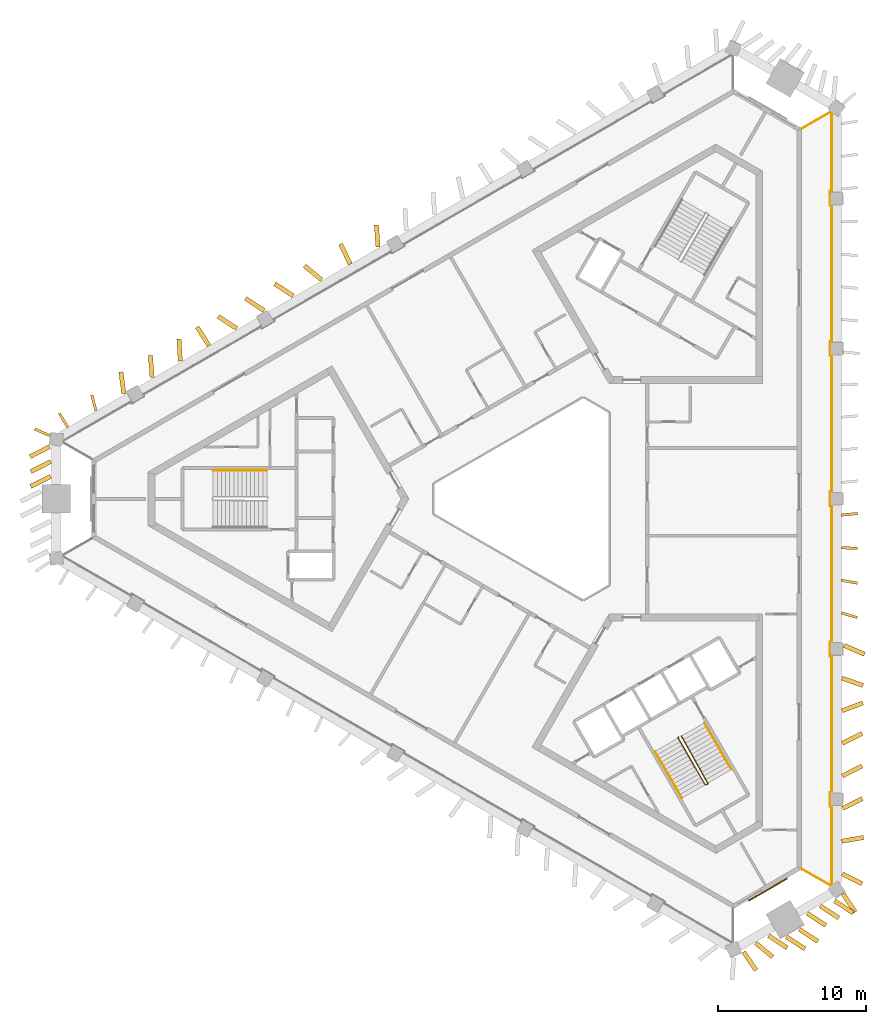
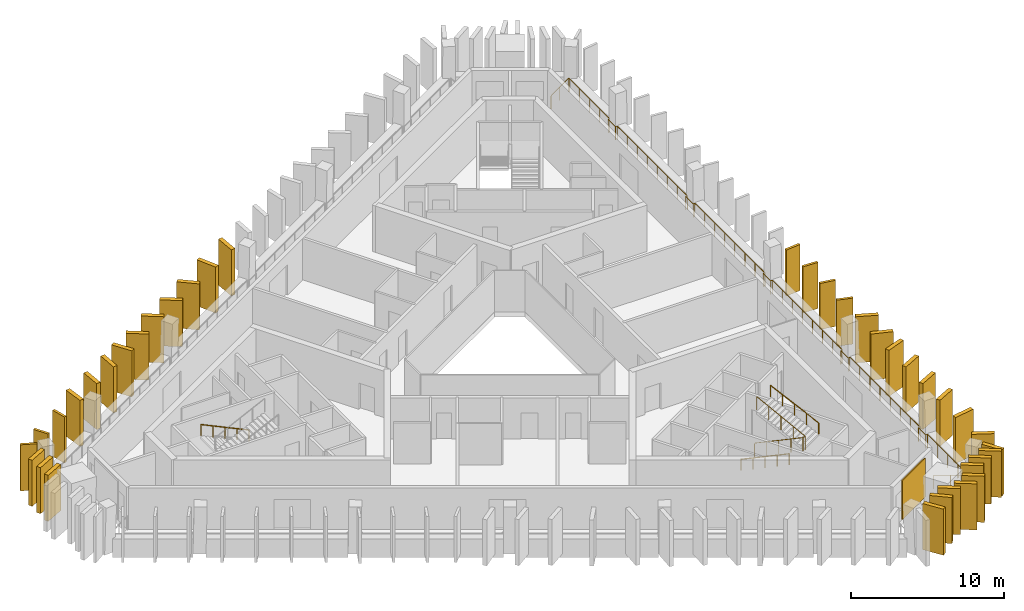
# One storey, part 8 of 9: 37 shading devices, 5 railings, 1 covering.
"""IFC4 building model written with IfcOpenShell, lengths in metres."""

from ifc_helpers import new_model, si_unit, direction, frame, frame_2d, origin, origin_2d, place, context, subcontext, project, spatial, rectangle, circle, extrude, material, layer, layer_set, type_object, element, save


model = new_model("IFC4")

# Units and contexts
model_context = context("Model", 3, precision=1e-05, world=origin(), true_north=direction((0.0, 1.0)))
body_context = subcontext(model_context, "Body", "Model", "MODEL_VIEW")
ifc_project = project(units=[si_unit("LENGTHUNIT", "METRE"), si_unit("AREAUNIT", "SQUARE_METRE"), si_unit("VOLUMEUNIT", "CUBIC_METRE"), si_unit("PLANEANGLEUNIT", "RADIAN"), si_unit("MASSUNIT", "GRAM", prefix="KILO")], contexts=[model_context])

# Site, building, storey
site_placement = place(None, origin())
site = spatial("IfcSite", under=ifc_project, at=site_placement, CompositionType="ELEMENT")
building_placement = place(site_placement, origin())
building = spatial("IfcBuilding", under=site, at=building_placement, Name="Jabali Bay Hotel Tower and Convention Centre", CompositionType="ELEMENT")
storey_placement = place(building_placement, frame((0.0, 0.0, 235.39990234375)))
storey = spatial("IfcBuildingStorey", under=building, at=storey_placement, Name="L58", CompositionType="ELEMENT", Elevation=235.39990234375)

# Railing
ifc_material_1 = material(Name="Glass", Category="glass")
railing_type_1 = type_object("IfcRailingType", Name="Loggia glass guard 1100", PredefinedType="BALUSTRADE", material=ifc_material_1)
railing_1_placement = place(storey_placement, frame((92.55322265625, 105.00927734375, 0.0)))
element("IfcRailing", 1, at=railing_1_placement, inside=storey, type_object=railing_type_1, Name="Loggia glass guard L58", PredefinedType="BALUSTRADE", context=body_context, shape_type="SweptSolid", body=[
    extrude(circle(Radius=0.02490234375, at=origin_2d()), frame((0.0, 0.0, 1.0751953125), z_axis=(0.86603545466, 0.499982590969, 0.0), x_axis=(-0.495705170593, 0.85862640129, 0.13052619222)), (0.0, 0.0, 1.0), 2.24755859375),
    extrude(circle(Radius=0.02490234375, at=origin_2d()), frame((1.946533203125, 1.123779296875, 1.0751953125), z_axis=(0.798685177606, -0.601749106416, 0.0), x_axis=(0.596601059392, 0.791852315193, 0.13052619222)), (0.0, 0.0, 1.0), 0.06689453125),
    extrude(circle(Radius=0.02490234375, at=origin_2d()), frame((2.0, 1.08349609375, 1.0751953125), z_axis=(0.0, -1.0, 0.0), x_axis=(0.991444861374, 0.0, 0.13052619222)), (0.0, 0.0, 1.0), 5.318603515625),
    extrude(circle(Radius=0.02490234375, at=origin_2d()), frame((2.0, -4.235107421875, 1.0751953125), z_axis=(-1.0, 0.0, 0.0), x_axis=(0.0, -0.991444861374, 0.13052619222)), (0.0, 0.0, 1.0), 0.125),
    extrude(circle(Radius=0.02490234375, at=origin_2d()), frame((1.875, -4.235107421875, 1.0751953125), z_axis=(0.0, -1.0, 0.0), x_axis=(0.991444861374, 0.0, 0.13052619222)), (0.0, 0.0, 1.0), 0.9501953125),
    extrude(circle(Radius=0.02490234375, at=origin_2d()), frame((1.875, -5.185302734375, 1.0751953125), z_axis=(1.0, 0.0, 0.0), x_axis=(0.0, 0.991444861374, 0.13052619222)), (0.0, 0.0, 1.0), 0.125),
    extrude(circle(Radius=0.02490234375, at=origin_2d()), frame((2.0, -5.185302734375, 1.0751953125), z_axis=(0.0, -1.0, 0.0), x_axis=(0.991444861374, 0.0, 0.13052619222)), (0.0, 0.0, 1.0), 9.199462890625),
    extrude(circle(Radius=0.02490234375, at=origin_2d()), frame((2.0, -14.384765625, 1.0751953125), z_axis=(-1.0, 0.0, 0.0), x_axis=(0.0, -0.991444861374, 0.13052619222)), (0.0, 0.0, 1.0), 0.125),
    extrude(circle(Radius=0.02490234375, at=origin_2d()), frame((1.875, -14.384765625, 1.0751953125), z_axis=(0.0, -1.0, 0.0), x_axis=(0.991444861374, 0.0, 0.13052619222)), (0.0, 0.0, 1.0), 0.949951171875),
    extrude(circle(Radius=0.02490234375, at=origin_2d()), frame((1.875, -15.334716796875, 1.0751953125), z_axis=(1.0, 0.0, 0.0), x_axis=(0.0, 0.991444861374, 0.13052619222)), (0.0, 0.0, 1.0), 0.125),
    extrude(circle(Radius=0.02490234375, at=origin_2d()), frame((2.0, -15.334716796875, 1.0751953125), z_axis=(0.0, -1.0, 0.0), x_axis=(0.991444861374, 0.0, 0.13052619222)), (0.0, 0.0, 1.0), 9.199462890625),
    extrude(circle(Radius=0.02490234375, at=origin_2d()), frame((2.0, -24.5341796875, 1.0751953125), z_axis=(-1.0, 0.0, 0.0), x_axis=(0.0, -0.991444861374, 0.13052619222)), (0.0, 0.0, 1.0), 0.125),
    extrude(circle(Radius=0.02490234375, at=origin_2d()), frame((1.875, -24.5341796875, 1.0751953125), z_axis=(0.0, -1.0, 0.0), x_axis=(0.991444861374, 0.0, 0.13052619222)), (0.0, 0.0, 1.0), 0.9501953125),
    extrude(circle(Radius=0.02490234375, at=origin_2d()), frame((1.875, -25.484375, 1.0751953125), z_axis=(1.0, 0.0, 0.0), x_axis=(0.0, 0.991444861374, 0.13052619222)), (0.0, 0.0, 1.0), 0.125),
    extrude(circle(Radius=0.02490234375, at=origin_2d()), frame((2.0, -25.484375, 1.0751953125), z_axis=(0.0, -1.0, 0.0), x_axis=(0.991444861374, 0.0, 0.13052619222)), (0.0, 0.0, 1.0), 9.199462890625),
    extrude(circle(Radius=0.02490234375, at=origin_2d()), frame((2.0, -34.683837890625, 1.0751953125), z_axis=(-1.0, 0.0, 0.0), x_axis=(0.0, -0.991444861374, 0.13052619222)), (0.0, 0.0, 1.0), 0.125),
    extrude(circle(Radius=0.02490234375, at=origin_2d()), frame((1.875, -34.683837890625, 1.0751953125), z_axis=(0.0, -1.0, 0.0), x_axis=(0.991444861374, 0.0, 0.13052619222)), (0.0, 0.0, 1.0), 0.949951171875),
    extrude(circle(Radius=0.02490234375, at=origin_2d()), frame((1.875, -35.6337890625, 1.0751953125), z_axis=(1.0, 0.0, 0.0), x_axis=(0.0, 0.991444861374, 0.13052619222)), (0.0, 0.0, 1.0), 0.125),
    extrude(circle(Radius=0.02490234375, at=origin_2d()), frame((2.0, -35.6337890625, 1.0751953125), z_axis=(0.0, -1.0, 0.0), x_axis=(0.991444861374, 0.0, 0.13052619222)), (0.0, 0.0, 1.0), 9.199462890625),
    extrude(circle(Radius=0.02490234375, at=origin_2d()), frame((2.0, -44.833251953125, 1.0751953125), z_axis=(-1.0, 0.0, 0.0), x_axis=(0.0, -0.991444861374, 0.13052619222)), (0.0, 0.0, 1.0), 0.125),
    extrude(circle(Radius=0.02490234375, at=origin_2d()), frame((1.875, -44.833251953125, 1.0751953125), z_axis=(0.0, -1.0, 0.0), x_axis=(0.991444861374, 0.0, 0.13052619222)), (0.0, 0.0, 1.0), 0.9501953125),
    extrude(circle(Radius=0.02490234375, at=origin_2d()), frame((1.875, -45.783447265625, 1.0751953125), z_axis=(1.0, 0.0, 0.0), x_axis=(0.0, 0.991444861374, 0.13052619222)), (0.0, 0.0, 1.0), 0.125),
    extrude(circle(Radius=0.02490234375, at=origin_2d()), frame((2.0, -45.783447265625, 1.0751953125), z_axis=(0.0, -1.0, 0.0), x_axis=(0.991444861374, 0.0, 0.13052619222)), (0.0, 0.0, 1.0), 5.318603515625),
    extrude(circle(Radius=0.02490234375, at=origin_2d()), frame((2.0, -51.10205078125, 1.0751953125), z_axis=(-0.798685177606, -0.601749106416, 0.0), x_axis=(0.596601059392, -0.791852315193, 0.13052619222)), (0.0, 0.0, 1.0), 0.06689453125),
    extrude(circle(Radius=0.02490234375, at=origin_2d()), frame((1.946533203125, -51.142333984375, 1.0751953125), z_axis=(-0.86603545466, 0.499982590969, 0.0), x_axis=(-0.495705170593, -0.85862640129, 0.13052619222)), (0.0, 0.0, 1.0), 2.24755859375),
    extrude(circle(Radius=0.02001953125, at=origin_2d()), origin(), (0.0, 0.0, 1.0), 1.050048828125),
    extrude(circle(Radius=0.02001953125, at=origin_2d()), frame((0.97314453125, 0.56201171875, 0.0)), (0.0, 0.0, 1.0), 1.050048828125),
    extrude(circle(Radius=0.02001953125, at=origin_2d()), frame((1.946533203125, 1.123779296875, 0.0)), (0.0, 0.0, 1.0), 1.050048828125),
    extrude(circle(Radius=0.02001953125, at=origin_2d()), frame((2.0, 1.08349609375, 0.0)), (0.0, 0.0, 1.0), 1.050048828125),
    extrude(circle(Radius=0.02001953125, at=origin_2d()), frame((2.0, -0.24609375, 0.0)), (0.0, 0.0, 1.0), 1.050048828125),
    extrude(circle(Radius=0.02001953125, at=origin_2d()), frame((2.0, -1.57568359375, 0.0)), (0.0, 0.0, 1.0), 1.050048828125),
    extrude(circle(Radius=0.02001953125, at=origin_2d()), frame((2.0, -2.905517578125, 0.0)), (0.0, 0.0, 1.0), 1.050048828125),
    extrude(circle(Radius=0.02001953125, at=origin_2d()), frame((2.0, -4.235107421875, 0.0)), (0.0, 0.0, 1.0), 1.050048828125),
    extrude(circle(Radius=0.02001953125, at=origin_2d()), frame((1.875, -4.235107421875, 0.0)), (0.0, 0.0, 1.0), 1.050048828125),
    extrude(circle(Radius=0.02001953125, at=origin_2d()), frame((1.875, -5.185302734375, 0.0)), (0.0, 0.0, 1.0), 1.050048828125),
    extrude(circle(Radius=0.02001953125, at=origin_2d()), frame((2.0, -5.185302734375, 0.0)), (0.0, 0.0, 1.0), 1.050048828125),
    extrude(circle(Radius=0.02001953125, at=origin_2d()), frame((2.0, -6.49951171875, 0.0)), (0.0, 0.0, 1.0), 1.050048828125),
    extrude(circle(Radius=0.02001953125, at=origin_2d()), frame((2.0, -7.813720703125, 0.0)), (0.0, 0.0, 1.0), 1.050048828125),
    extrude(circle(Radius=0.02001953125, at=origin_2d()), frame((2.0, -9.1279296875, 0.0)), (0.0, 0.0, 1.0), 1.050048828125),
    extrude(circle(Radius=0.02001953125, at=origin_2d()), frame((2.0, -10.442138671875, 0.0)), (0.0, 0.0, 1.0), 1.050048828125),
    extrude(circle(Radius=0.02001953125, at=origin_2d()), frame((2.0, -11.75634765625, 0.0)), (0.0, 0.0, 1.0), 1.050048828125),
    extrude(circle(Radius=0.02001953125, at=origin_2d()), frame((2.0, -13.070556640625, 0.0)), (0.0, 0.0, 1.0), 1.050048828125),
    extrude(circle(Radius=0.02001953125, at=origin_2d()), frame((2.0, -14.384765625, 0.0)), (0.0, 0.0, 1.0), 1.050048828125),
    extrude(circle(Radius=0.02001953125, at=origin_2d()), frame((1.875, -14.384765625, 0.0)), (0.0, 0.0, 1.0), 1.050048828125),
    extrude(circle(Radius=0.02001953125, at=origin_2d()), frame((1.875, -15.334716796875, 0.0)), (0.0, 0.0, 1.0), 1.050048828125),
    extrude(circle(Radius=0.02001953125, at=origin_2d()), frame((2.0, -15.334716796875, 0.0)), (0.0, 0.0, 1.0), 1.050048828125),
    extrude(circle(Radius=0.02001953125, at=origin_2d()), frame((2.0, -16.64892578125, 0.0)), (0.0, 0.0, 1.0), 1.050048828125),
    extrude(circle(Radius=0.02001953125, at=origin_2d()), frame((2.0, -17.963134765625, 0.0)), (0.0, 0.0, 1.0), 1.050048828125),
    extrude(circle(Radius=0.02001953125, at=origin_2d()), frame((2.0, -19.27734375, 0.0)), (0.0, 0.0, 1.0), 1.050048828125),
    extrude(circle(Radius=0.02001953125, at=origin_2d()), frame((2.0, -20.591552734375, 0.0)), (0.0, 0.0, 1.0), 1.050048828125),
    extrude(circle(Radius=0.02001953125, at=origin_2d()), frame((2.0, -21.90576171875, 0.0)), (0.0, 0.0, 1.0), 1.050048828125),
    extrude(circle(Radius=0.02001953125, at=origin_2d()), frame((2.0, -23.219970703125, 0.0)), (0.0, 0.0, 1.0), 1.050048828125),
    extrude(circle(Radius=0.02001953125, at=origin_2d()), frame((2.0, -24.5341796875, 0.0)), (0.0, 0.0, 1.0), 1.050048828125),
    extrude(circle(Radius=0.02001953125, at=origin_2d()), frame((1.875, -24.5341796875, 0.0)), (0.0, 0.0, 1.0), 1.050048828125),
    extrude(circle(Radius=0.02001953125, at=origin_2d()), frame((1.875, -25.484375, 0.0)), (0.0, 0.0, 1.0), 1.050048828125),
    extrude(circle(Radius=0.02001953125, at=origin_2d()), frame((2.0, -25.484375, 0.0)), (0.0, 0.0, 1.0), 1.050048828125),
    extrude(circle(Radius=0.02001953125, at=origin_2d()), frame((2.0, -26.798583984375, 0.0)), (0.0, 0.0, 1.0), 1.050048828125),
    extrude(circle(Radius=0.02001953125, at=origin_2d()), frame((2.0, -28.11279296875, 0.0)), (0.0, 0.0, 1.0), 1.050048828125),
    extrude(circle(Radius=0.02001953125, at=origin_2d()), frame((2.0, -29.427001953125, 0.0)), (0.0, 0.0, 1.0), 1.050048828125),
    extrude(circle(Radius=0.02001953125, at=origin_2d()), frame((2.0, -30.7412109375, 0.0)), (0.0, 0.0, 1.0), 1.050048828125),
    extrude(circle(Radius=0.02001953125, at=origin_2d()), frame((2.0, -32.055419921875, 0.0)), (0.0, 0.0, 1.0), 1.050048828125),
    extrude(circle(Radius=0.02001953125, at=origin_2d()), frame((2.0, -33.36962890625, 0.0)), (0.0, 0.0, 1.0), 1.050048828125),
    extrude(circle(Radius=0.02001953125, at=origin_2d()), frame((2.0, -34.683837890625, 0.0)), (0.0, 0.0, 1.0), 1.050048828125),
    extrude(circle(Radius=0.02001953125, at=origin_2d()), frame((1.875, -34.683837890625, 0.0)), (0.0, 0.0, 1.0), 1.050048828125),
    extrude(circle(Radius=0.02001953125, at=origin_2d()), frame((1.875, -35.6337890625, 0.0)), (0.0, 0.0, 1.0), 1.050048828125),
    extrude(circle(Radius=0.02001953125, at=origin_2d()), frame((2.0, -35.6337890625, 0.0)), (0.0, 0.0, 1.0), 1.050048828125),
    extrude(circle(Radius=0.02001953125, at=origin_2d()), frame((2.0, -36.947998046875, 0.0)), (0.0, 0.0, 1.0), 1.050048828125),
    extrude(circle(Radius=0.02001953125, at=origin_2d()), frame((2.0, -38.26220703125, 0.0)), (0.0, 0.0, 1.0), 1.050048828125),
    extrude(circle(Radius=0.02001953125, at=origin_2d()), frame((2.0, -39.576416015625, 0.0)), (0.0, 0.0, 1.0), 1.050048828125),
    extrude(circle(Radius=0.02001953125, at=origin_2d()), frame((2.0, -40.890625, 0.0)), (0.0, 0.0, 1.0), 1.050048828125),
    extrude(circle(Radius=0.02001953125, at=origin_2d()), frame((2.0, -42.204833984375, 0.0)), (0.0, 0.0, 1.0), 1.050048828125),
    extrude(circle(Radius=0.02001953125, at=origin_2d()), frame((2.0, -43.51904296875, 0.0)), (0.0, 0.0, 1.0), 1.050048828125),
    extrude(circle(Radius=0.02001953125, at=origin_2d()), frame((2.0, -44.833251953125, 0.0)), (0.0, 0.0, 1.0), 1.050048828125),
    extrude(circle(Radius=0.02001953125, at=origin_2d()), frame((1.875, -44.833251953125, 0.0)), (0.0, 0.0, 1.0), 1.050048828125),
    extrude(circle(Radius=0.02001953125, at=origin_2d()), frame((1.875, -45.783447265625, 0.0)), (0.0, 0.0, 1.0), 1.050048828125),
    extrude(circle(Radius=0.02001953125, at=origin_2d()), frame((2.0, -45.783447265625, 0.0)), (0.0, 0.0, 1.0), 1.050048828125),
    extrude(circle(Radius=0.02001953125, at=origin_2d()), frame((2.0, -47.113037109375, 0.0)), (0.0, 0.0, 1.0), 1.050048828125),
    extrude(circle(Radius=0.02001953125, at=origin_2d()), frame((2.0, -48.44287109375, 0.0)), (0.0, 0.0, 1.0), 1.050048828125),
    extrude(circle(Radius=0.02001953125, at=origin_2d()), frame((2.0, -49.7724609375, 0.0)), (0.0, 0.0, 1.0), 1.050048828125),
    extrude(circle(Radius=0.02001953125, at=origin_2d()), frame((2.0, -51.10205078125, 0.0)), (0.0, 0.0, 1.0), 1.050048828125),
    extrude(circle(Radius=0.02001953125, at=origin_2d()), frame((1.946533203125, -51.142333984375, 0.0)), (0.0, 0.0, 1.0), 1.050048828125),
    extrude(circle(Radius=0.02001953125, at=origin_2d()), frame((0.97314453125, -50.58056640625, 0.0)), (0.0, 0.0, 1.0), 1.050048828125),
    extrude(circle(Radius=0.02001953125, at=origin_2d()), frame((0.0, -50.0185546875, 0.0)), (0.0, 0.0, 1.0), 1.050048828125),
])

# Shading devices
ifc_material_2 = material(Name="Precast concrete C60", Category="concrete")
ifc_layer_1 = layer(ifc_material_2, 0.179931640625)
ifc_layer_set_1 = layer_set([ifc_layer_1], Name="Precast concrete C60")
shading_device_type_1 = type_object("IfcShadingDeviceType", Name="Precast fin 3680 x 1100", PredefinedType="USERDEFINED", material=ifc_layer_set_1)
for number, where, z_axis, x_axis, name in (
    (2, (95.221435546875, 72.29296875, 0.010009765625), (0.0, 0.0, 1.0), (0.957997170433, -0.286777651575, 0.0), "Fin L58 008"),
    (3, (95.21142578125, 74.4951171875, 0.010009765625), (0.0, 0.0, 1.0), (0.984624497591, -0.174684283049, 0.0), "Fin L58 009"),
):
    element("IfcShadingDevice", number, at=place(storey_placement, frame(where, z_axis=z_axis, x_axis=x_axis)), inside=storey, type_object=shading_device_type_1, Name=name, ObjectType="FIN", PredefinedType="USERDEFINED", context=body_context, shape_type="SweptSolid", body=[
        extrude(rectangle(XDim=1.099853515625, YDim=0.179931640625, at=frame_2d((0.5498046875, 0.0))), origin(), (0.0, 0.0, 1.0), 3.68017578125),
    ])
shading_device_1_placement = place(storey_placement, frame((95.199462890625, 76.697021484375, 0.010009765625), z_axis=(0.0, 0.0, 1.0), x_axis=(0.999063262983, -0.043273508725, 0.0)))
element("IfcShadingDevice", 4, at=shading_device_1_placement, inside=storey, type_object=shading_device_type_1, Name="Fin L58 010", ObjectType="FIN", PredefinedType="USERDEFINED", context=body_context, shape_type="SweptSolid", body=[
    extrude(rectangle(XDim=1.10009765625, YDim=0.179931640625, at=frame_2d((0.550048828125, 0.0))), origin(), (0.0, 0.0, 1.0), 3.68017578125),
])
for number, where, z_axis, x_axis, name in (
    (5, (95.20458984375, 78.89892578125, 0.010009765625), (0.0, 0.0, 1.0), (0.995043780878, 0.099437790282, 0.0), "Fin L58 011"),
    (6, (44.866943359375, 85.9501953125, 0.010009765625), (0.0, 0.0, 1.0), (-0.252602612221, 0.967570111309, 0.0), "Fin L58 054"),
    (7, (42.970703125, 84.83056640625, 0.010009765625), (0.0, 0.0, 1.0), (-0.522275761748, 0.852776658153, 0.0), "Fin L58 055"),
):
    element("IfcShadingDevice", number, at=place(storey_placement, frame(where, z_axis=z_axis, x_axis=x_axis)), inside=storey, type_object=shading_device_type_1, Name=name, ObjectType="FIN", PredefinedType="USERDEFINED", context=body_context, shape_type="SweptSolid", body=[
        extrude(rectangle(XDim=1.099853515625, YDim=0.179931640625, at=frame_2d((0.5498046875, 0.0))), origin(), (0.0, 0.0, 1.0), 3.68017578125),
    ])
shading_device_2_placement = place(storey_placement, frame((41.740966796875, 84.26953125, 0.010009765625), z_axis=(0.0, 0.0, 1.0), x_axis=(-0.91663550162, 0.399724101312, 0.0)))
element("IfcShadingDevice", 8, at=shading_device_2_placement, inside=storey, type_object=shading_device_type_1, Name="Fin L58 099", ObjectType="FIN", PredefinedType="USERDEFINED", context=body_context, shape_type="SweptSolid", body=[
    extrude(rectangle(XDim=1.10009765625, YDim=0.179931640625, at=frame_2d((0.550048828125, 0.0))), origin(), (0.0, 0.0, 1.0), 3.68017578125),
])
ifc_layer_2 = layer(ifc_material_2, 0.300048828125)
ifc_layer_set_2 = layer_set([ifc_layer_2], Name="Precast concrete C60")
shading_device_type_2 = type_object("IfcShadingDeviceType", Name="Precast fin 3680 x 1500", PredefinedType="USERDEFINED", material=ifc_layer_set_2)
for number, where, z_axis, x_axis, name in (
    (9, (95.262939453125, 54.67724609375, 0.010009765625), (0.0, 0.0, 1.0), (0.893186849307, -0.449685726063, 0.0), "Fin L58 000"),
    (10, (95.220703125, 56.879150390625, 0.010009765625), (0.0, 0.0, 1.0), (0.98601300015, 0.166668423928, 0.0), "Fin L58 001"),
    (11, (95.274169921875, 59.0810546875, 0.010009765625), (0.0, 0.0, 1.0), (0.893186849307, 0.449685726063, 0.0), "Fin L58 002"),
    (12, (95.262939453125, 61.283203125, 0.010009765625), (0.0, 0.0, 1.0), (0.893350442066, 0.449360643204, 0.0), "Fin L58 003"),
    (13, (95.262939453125, 63.485107421875, 0.010009765625), (0.0, 0.0, 1.0), (0.893579211785, 0.448905549381, 0.0), "Fin L58 004"),
    (14, (95.248291015625, 65.68701171875, 0.010009765625), (0.0, 0.0, 1.0), (0.936349242148, 0.351069931395, 0.0), "Fin L58 005"),
    (15, (95.244873046875, 67.88916015625, 0.010009765625), (0.0, 0.0, 1.0), (0.944468249233, -0.328602687438, 0.0), "Fin L58 006"),
    (16, (95.386962890625, 70.091064453125, 0.010009765625), (0.0, 0.0, 1.0), (0.920068524679, -0.3917574631, 0.0), "Fin L58 007"),
):
    element("IfcShadingDevice", number, at=place(storey_placement, frame(where, z_axis=z_axis, x_axis=x_axis)), inside=storey, type_object=shading_device_type_2, Name=name, ObjectType="FIN", PredefinedType="USERDEFINED", context=body_context, shape_type="SweptSolid", body=[
        extrude(rectangle(XDim=1.5, YDim=0.300048828125, at=frame_2d((0.75, 0.0))), origin(), (0.0, 0.0, 1.0), 3.68017578125),
    ])
shading_device_3_placement = place(storey_placement, frame((63.916015625, 96.995849609375, 0.010009765625), z_axis=(0.0, 0.0, 1.0), x_axis=(-0.07339809525, 0.997302722153, 0.0)))
element("IfcShadingDevice", 17, at=shading_device_3_placement, inside=storey, type_object=shading_device_type_2, Name="Fin L58 044", ObjectType="FIN", PredefinedType="USERDEFINED", context=body_context, shape_type="SweptSolid", body=[
    extrude(rectangle(XDim=1.500244140625, YDim=0.300048828125, at=frame_2d((0.75, 0.0))), origin(), (0.0, 0.0, 1.0), 3.68017578125),
])
shading_device_4_placement = place(storey_placement, frame((62.035888671875, 95.8486328125, 0.010009765625), z_axis=(0.0, 0.0, 1.0), x_axis=(-0.430205248032, 0.902731103134, 0.0)))
element("IfcShadingDevice", 18, at=shading_device_4_placement, inside=storey, type_object=shading_device_type_2, Name="Fin L58 045", ObjectType="FIN", PredefinedType="USERDEFINED", context=body_context, shape_type="SweptSolid", body=[
    extrude(rectangle(XDim=1.5, YDim=0.300048828125, at=frame_2d((0.75, 0.0))), origin(), (0.0, 0.0, 1.0), 3.68017578125),
])
shading_device_5_placement = place(storey_placement, frame((60.1083984375, 94.783203125, 0.010009765625), z_axis=(0.0, 0.0, 1.0), x_axis=(-0.773173626036, 0.634194405528, 0.0)))
element("IfcShadingDevice", 19, at=shading_device_5_placement, inside=storey, type_object=shading_device_type_2, Name="Fin L58 046", ObjectType="FIN", PredefinedType="USERDEFINED", context=body_context, shape_type="SweptSolid", body=[
    extrude(rectangle(XDim=1.500244140625, YDim=0.300048828125, at=frame_2d((0.75, 0.0))), origin(), (0.0, 0.0, 1.0), 3.68017578125),
])
shading_device_6_placement = place(storey_placement, frame((58.194091796875, 93.69482421875, 0.010009765625), z_axis=(0.0, 0.0, 1.0), x_axis=(-0.836010576287, 0.548713328011, 0.0)))
element("IfcShadingDevice", 20, at=shading_device_6_placement, inside=storey, type_object=shading_device_type_2, Name="Fin L58 047", ObjectType="FIN", PredefinedType="USERDEFINED", context=body_context, shape_type="SweptSolid", body=[
    extrude(rectangle(XDim=1.499755859375, YDim=0.300048828125, at=frame_2d((0.75, 0.0))), origin(), (0.0, 0.0, 1.0), 3.68017578125),
])
shading_device_7_placement = place(storey_placement, frame((56.220947265625, 92.70849609375, 0.010009765625), z_axis=(0.0, 0.0, 1.0), x_axis=(-0.835984920737, 0.548752414391, 0.0)))
element("IfcShadingDevice", 21, at=shading_device_7_placement, inside=storey, type_object=shading_device_type_2, Name="Fin L58 048", ObjectType="FIN", PredefinedType="USERDEFINED", context=body_context, shape_type="SweptSolid", body=[
    extrude(rectangle(XDim=1.500244140625, YDim=0.300048828125, at=frame_2d((0.75, 0.0))), origin(), (0.0, 0.0, 1.0), 3.68017578125),
])
for number, where, z_axis, x_axis, name in (
    (22, (54.380126953125, 91.492919921875, 0.010009765625), (0.0, 0.0, 1.0), (-0.83593590558, 0.548827078196, 0.0), "Fin L58 049"),
    (23, (52.50341796875, 90.33935546875, 0.010009765625), (0.0, 0.0, 1.0), (-0.538443859737, 0.842661385084, 0.0), "Fin L58 050"),
    (24, (50.56640625, 89.290283203125, 0.010009765625), (0.0, 0.0, 1.0), (-0.062013485603, 0.998075311589, 0.0), "Fin L58 051"),
    (25, (48.66064453125, 88.1875, 0.010009765625), (0.0, 0.0, 1.0), (-0.078127805502, 0.996943351454, 0.0), "Fin L58 052"),
    (26, (46.757568359375, 87.07958984375, 0.010009765625), (0.0, 0.0, 1.0), (-0.13542553359, 0.990787527602, 0.0), "Fin L58 053"),
    (27, (41.75830078125, 83.521728515625, 0.010009765625), (0.0, 0.0, 1.0), (-0.893186849307, -0.449685726063, 0.0), "Fin L58 056"),
    (28, (41.810546875, 82.515380859375, 0.010009765625), (0.0, 0.0, 1.0), (-0.893252214826, -0.449555870508, 0.0), "Fin L58 057"),
    (29, (41.810546875, 81.50927734375, 0.010009765625), (0.0, 0.0, 1.0), (-0.893186849307, -0.449685726063, 0.0), "Fin L58 058"),
    (30, (88.599365234375, 49.40185546875, 0.010009765625), (0.0, 0.0, 1.0), (0.563458024042, -0.826144693829, 0.0), "Fin L58 088"),
    (31, (89.40869140625, 50.01220703125, 0.010009765625), (0.0, 0.0, 1.0), (0.771201461821, -0.636591160232, 0.0), "Fin L58 089"),
    (32, (90.28759765625, 50.50244140625, 0.010009765625), (0.0, 0.0, 1.0), (0.836059575503, -0.548638666346, 0.0), "Fin L58 090"),
):
    element("IfcShadingDevice", number, at=place(storey_placement, frame(where, z_axis=z_axis, x_axis=x_axis)), inside=storey, type_object=shading_device_type_2, Name=name, ObjectType="FIN", PredefinedType="USERDEFINED", context=body_context, shape_type="SweptSolid", body=[
        extrude(rectangle(XDim=1.5, YDim=0.300048828125, at=frame_2d((0.75, 0.0))), origin(), (0.0, 0.0, 1.0), 3.68017578125),
    ])
shading_device_8_placement = place(storey_placement, frame((91.490478515625, 50.431640625, 0.010009765625), z_axis=(0.0, 0.0, 1.0), x_axis=(0.836010576287, -0.548713328011, 0.0)))
element("IfcShadingDevice", 33, at=shading_device_8_placement, inside=storey, type_object=shading_device_type_2, Name="Fin L58 091", ObjectType="FIN", PredefinedType="USERDEFINED", context=body_context, shape_type="SweptSolid", body=[
    extrude(rectangle(XDim=1.499755859375, YDim=0.300048828125, at=frame_2d((0.75, 0.0))), origin(), (0.0, 0.0, 1.0), 3.68017578125),
])
shading_device_9_placement = place(storey_placement, frame((92.36181640625, 50.934814453125, 0.010009765625), z_axis=(0.0, 0.0, 1.0), x_axis=(0.83593590558, -0.548827078196, 0.0)))
element("IfcShadingDevice", 34, at=shading_device_9_placement, inside=storey, type_object=shading_device_type_2, Name="Fin L58 092", ObjectType="FIN", PredefinedType="USERDEFINED", context=body_context, shape_type="SweptSolid", body=[
    extrude(rectangle(XDim=1.5, YDim=0.300048828125, at=frame_2d((0.75, 0.0))), origin(), (0.0, 0.0, 1.0), 3.68017578125),
])
shading_device_10_placement = place(storey_placement, frame((92.90185546875, 52.01171875, 0.010009765625), z_axis=(0.0, 0.0, 1.0), x_axis=(0.836010576287, -0.548713328011, 0.0)))
element("IfcShadingDevice", 35, at=shading_device_10_placement, inside=storey, type_object=shading_device_type_2, Name="Fin L58 093", ObjectType="FIN", PredefinedType="USERDEFINED", context=body_context, shape_type="SweptSolid", body=[
    extrude(rectangle(XDim=1.499755859375, YDim=0.300048828125, at=frame_2d((0.75, 0.0))), origin(), (0.0, 0.0, 1.0), 3.68017578125),
])
shading_device_11_placement = place(storey_placement, frame((93.773193359375, 52.514892578125, 0.010009765625), z_axis=(0.0, 0.0, 1.0), x_axis=(0.835984920737, -0.548752414391, 0.0)))
element("IfcShadingDevice", 36, at=shading_device_11_placement, inside=storey, type_object=shading_device_type_2, Name="Fin L58 094", ObjectType="FIN", PredefinedType="USERDEFINED", context=body_context, shape_type="SweptSolid", body=[
    extrude(rectangle(XDim=1.500244140625, YDim=0.300048828125, at=frame_2d((0.75, 0.0))), origin(), (0.0, 0.0, 1.0), 3.68017578125),
])
for number, where, z_axis, x_axis, name in (
    (37, (94.73779296875, 52.8564453125, 0.010009765625), (0.0, 0.0, 1.0), (0.836010576287, -0.548713328011, 0.0), "Fin L58 095"),
    (38, (95.31201171875, 53.340087890625, 0.010009765625), (0.0, 0.0, 1.0), (0.548713328011, -0.836010576287, 0.0), "Fin L58 096"),
):
    element("IfcShadingDevice", number, at=place(storey_placement, frame(where, z_axis=z_axis, x_axis=x_axis)), inside=storey, type_object=shading_device_type_2, Name=name, ObjectType="FIN", PredefinedType="USERDEFINED", context=body_context, shape_type="SweptSolid", body=[
        extrude(rectangle(XDim=1.499755859375, YDim=0.300048828125, at=frame_2d((0.75, 0.0))), origin(), (0.0, 0.0, 1.0), 3.68017578125),
    ])

# Covering
ifc_material_3 = material(Name="Precast concrete C40/50", Category="concrete")
ifc_layer_3 = layer(ifc_material_3, 0.080078125)
ifc_layer_set_3 = layer_set([ifc_layer_3], Name="Precast concrete C40/50")
covering_type = type_object("IfcCoveringType", Name="Relief panel 3000 x 3100", PredefinedType="CLADDING", material=ifc_layer_set_3)
covering_placement = place(storey_placement, frame((90.237548828125, 53.607666015625, 0.10009765625), z_axis=(0.0, 0.0, 1.0), x_axis=(-0.866025429214, -0.499999955955, 0.0)))
element("IfcCovering", 39, at=covering_placement, inside=storey, type_object=covering_type, Name="Relief panel L58", PredefinedType="CLADDING", context=body_context, shape_type="SweptSolid", body=[
    extrude(rectangle(XDim=3.0, YDim=0.080078125, at=origin_2d()), origin(), (0.0, 0.0, 1.0), 3.10009765625),
])

# Railings
ifc_material_4 = material(Name="Steel Q355B", Category="steel")
railing_type_2 = type_object("IfcRailingType", Name="Stair guard 1100", PredefinedType="GUARDRAIL", material=ifc_material_4)
railing_2_placement = place(storey_placement, frame((84.199951171875, 63.9150390625, 0.0)))
element("IfcRailing", 40, at=railing_2_placement, inside=storey, type_object=railing_type_2, Name="L58 ST3 stair guard 1", PredefinedType="GUARDRAIL", context=body_context, shape_type="SweptSolid", body=[
    extrude(circle(Radius=0.02392578125, at=origin_2d()), frame((0.0, 0.0, 1.076171875), z_axis=(-0.122021570157, -0.455547195254, 0.88180921367), x_axis=(0.965948051503, -0.258736085224, 0.0)), (0.0, 0.0, 1.0), 0.150146484375),
    extrude(circle(Radius=0.02392578125, at=origin_2d()), frame((-0.018310546875, -0.068359375, 1.20849609375), z_axis=(0.452190331055, -0.783190014029, 0.426775475427), x_axis=(0.866018046521, 0.500012742938, 0.0)), (0.0, 0.0, 1.0), 4.02490234375),
    extrude(circle(Radius=0.02392578125, at=origin_2d()), frame((1.8017578125, -3.220703125, 2.92626953125), z_axis=(0.96121063429, 0.275815366736, 0.0), x_axis=(-0.275815366736, 0.96121063429, 0.0)), (0.0, 0.0, 1.0), 0.206298828125),
    extrude(circle(Radius=0.02392578125, at=origin_2d()), frame((2.0, -3.163818359375, 2.92626953125), z_axis=(-0.436470229993, 0.780146179382, 0.448180406895), x_axis=(-0.872702246529, -0.488252792008, 0.0)), (0.0, 0.0, 1.0), 4.1279296875),
    extrude(circle(Radius=0.02099609375, at=origin_2d()), origin(), (0.0, 0.0, 1.0), 1.052001953125),
    extrude(circle(Radius=0.02099609375, at=origin_2d()), frame((-0.018310546875, -0.068359375, 0.13232421875)), (0.0, 0.0, 1.0), 1.052001953125),
    extrude(circle(Radius=0.02099609375, at=origin_2d()), frame((0.436767578125, -0.8564453125, 0.561767578125)), (0.0, 0.0, 1.0), 1.052001953125),
    extrude(circle(Radius=0.02099609375, at=origin_2d()), frame((0.8916015625, -1.64453125, 0.9912109375)), (0.0, 0.0, 1.0), 1.052001953125),
    extrude(circle(Radius=0.02099609375, at=origin_2d()), frame((1.3466796875, -2.4326171875, 1.420654296875)), (0.0, 0.0, 1.0), 1.052001953125),
    extrude(circle(Radius=0.02099609375, at=origin_2d()), frame((1.8017578125, -3.220703125, 1.85009765625)), (0.0, 0.0, 1.0), 1.052001953125),
    extrude(circle(Radius=0.02099609375, at=origin_2d()), frame((2.0, -3.163818359375, 1.85009765625)), (0.0, 0.0, 1.0), 1.052001953125),
    extrude(circle(Radius=0.02099609375, at=origin_2d()), frame((1.549560546875, -2.358642578125, 2.3125)), (0.0, 0.0, 1.0), 1.052001953125),
    extrude(circle(Radius=0.02099609375, at=origin_2d()), frame((1.09912109375, -1.5537109375, 2.775146484375)), (0.0, 0.0, 1.0), 1.052001953125),
    extrude(circle(Radius=0.02099609375, at=origin_2d()), frame((0.648681640625, -0.74853515625, 3.23779296875)), (0.0, 0.0, 1.0), 1.052001953125),
    extrude(circle(Radius=0.02099609375, at=origin_2d()), frame((0.1982421875, 0.056640625, 3.7001953125)), (0.0, 0.0, 1.0), 1.052001953125),
])
railing_type_3 = type_object("IfcRailingType", Name="Stair handrail 900", PredefinedType="HANDRAIL", material=ifc_material_4)
railing_3_placement = place(storey_placement, frame((56.419921875, 81.925048828125, 0.13232421875)))
element("IfcRailing", 41, at=railing_3_placement, inside=storey, type_object=railing_type_3, Name="L58 ST1 stair handrail 1", PredefinedType="HANDRAIL", context=body_context, shape_type="SweptSolid", body=[
    extrude(circle(Radius=0.02392578125, at=origin_2d()), frame((0.0, 0.0, 0.8759765625), z_axis=(-0.904350763662, 0.0, 0.426789990819), x_axis=(0.0, -1.0, 0.0)), (0.0, 0.0, 1.0), 4.02490234375),
    extrude(circle(Radius=0.02099609375, at=origin_2d()), origin(), (0.0, 0.0, 1.0), 0.851806640625),
    extrude(circle(Radius=0.02099609375, at=origin_2d()), frame((-0.909912109375, 0.0, 0.429443359375)), (0.0, 0.0, 1.0), 0.851806640625),
    extrude(circle(Radius=0.02099609375, at=origin_2d()), frame((-1.81982421875, 0.0, 0.85888671875)), (0.0, 0.0, 1.0), 0.851806640625),
    extrude(circle(Radius=0.02099609375, at=origin_2d()), frame((-2.72998046875, 0.0, 1.288330078125)), (0.0, 0.0, 1.0), 0.851806640625),
    extrude(circle(Radius=0.02099609375, at=origin_2d()), frame((-3.639892578125, 0.0, 1.7177734375)), (0.0, 0.0, 1.0), 0.851806640625),
])
railing_4_placement = place(storey_placement, frame((82.622802734375, 62.94677734375, 0.13232421875)))
element("IfcRailing", 42, at=railing_4_placement, inside=storey, type_object=railing_type_3, Name="L58 ST3 stair handrail 1", PredefinedType="HANDRAIL", context=body_context, shape_type="SweptSolid", body=[
    extrude(circle(Radius=0.02392578125, at=origin_2d()), frame((0.0, 0.0, 0.8759765625), z_axis=(0.452190331055, -0.783190014029, 0.426775475427), x_axis=(0.866018046521, 0.500012742938, 0.0)), (0.0, 0.0, 1.0), 4.02490234375),
    extrude(circle(Radius=0.02099609375, at=origin_2d()), origin(), (0.0, 0.0, 1.0), 0.851806640625),
    extrude(circle(Radius=0.02099609375, at=origin_2d()), frame((0.455078125, -0.7880859375, 0.429443359375)), (0.0, 0.0, 1.0), 0.851806640625),
    extrude(circle(Radius=0.02099609375, at=origin_2d()), frame((0.91015625, -1.576171875, 0.85888671875)), (0.0, 0.0, 1.0), 0.851806640625),
    extrude(circle(Radius=0.02099609375, at=origin_2d()), frame((1.364990234375, -2.3642578125, 1.288330078125)), (0.0, 0.0, 1.0), 0.851806640625),
    extrude(circle(Radius=0.02099609375, at=origin_2d()), frame((1.820068359375, -3.15234375, 1.7177734375)), (0.0, 0.0, 1.0), 0.851806640625),
])
railing_5_placement = place(storey_placement, frame((87.777099609375, 61.719482421875, 1.982177734375)))
element("IfcRailing", 43, at=railing_5_placement, inside=storey, type_object=railing_type_3, Name="L58 ST3 stair handrail 2", PredefinedType="HANDRAIL", context=body_context, shape_type="SweptSolid", body=[
    extrude(circle(Radius=0.02392578125, at=origin_2d()), frame((0.0, 0.0, 0.8759765625), z_axis=(-0.45217862506, 0.783169739339, 0.426825081763), x_axis=(-0.866018046521, -0.500012742938, 0.0)), (0.0, 0.0, 1.0), 4.025146484375),
    extrude(circle(Radius=0.02099609375, at=origin_2d()), origin(), (0.0, 0.0, 1.0), 0.851806640625),
    extrude(circle(Radius=0.02099609375, at=origin_2d()), frame((-0.455078125, 0.7880859375, 0.429443359375)), (0.0, 0.0, 1.0), 0.851806640625),
    extrude(circle(Radius=0.02099609375, at=origin_2d()), frame((-0.91015625, 1.576171875, 0.85888671875)), (0.0, 0.0, 1.0), 0.851806640625),
    extrude(circle(Radius=0.02099609375, at=origin_2d()), frame((-1.364990234375, 2.3642578125, 1.28857421875)), (0.0, 0.0, 1.0), 0.851806640625),
    extrude(circle(Radius=0.02099609375, at=origin_2d()), frame((-1.820068359375, 3.15234375, 1.718017578125)), (0.0, 0.0, 1.0), 0.851806640625),
])

save(model, "model.ifc")
